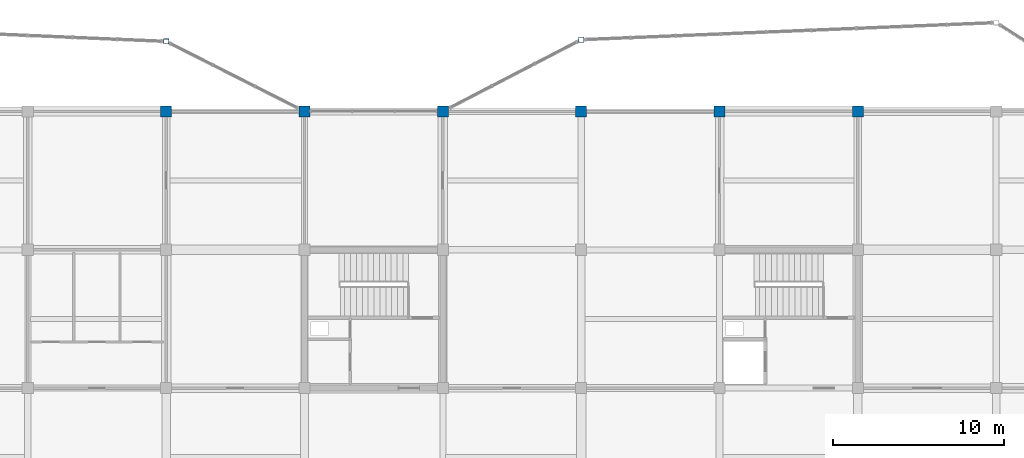
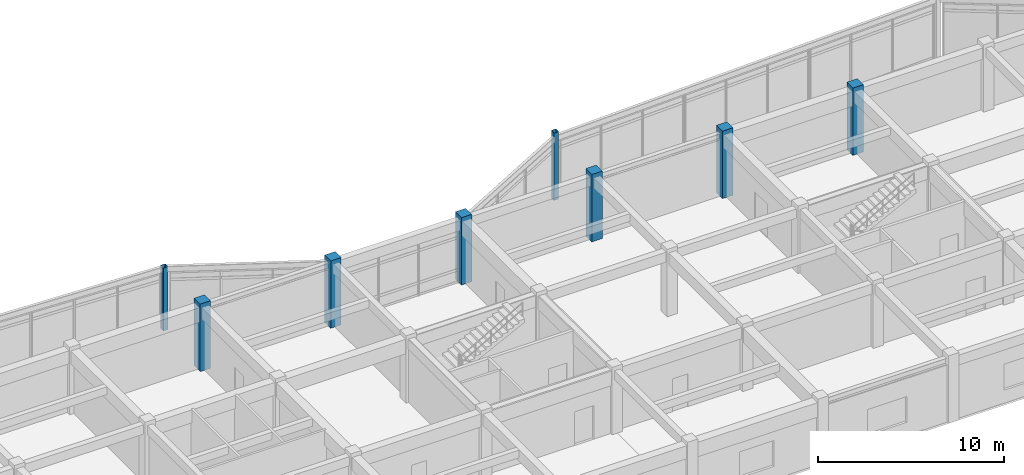
# One storey, part 11 of 70: 8 columns.
"""IFC4 building model written with IfcOpenShell, lengths in metres."""

from ifc_helpers import new_model, si_unit, direction, frame, origin, origin_2d, place, context, subcontext, project, spatial, rectangle, hollow_rectangle, extrude, material, material_profile, profile_set, type_object, element, save


model = new_model("IFC4")

# Units and contexts
model_context = context("Model", 3, precision=1e-05, world=origin(), true_north=direction((0.0, 1.0)))
body_context = subcontext(model_context, "Body", "Model", "MODEL_VIEW")
ifc_project = project(units=[si_unit("LENGTHUNIT", "METRE"), si_unit("AREAUNIT", "SQUARE_METRE"), si_unit("VOLUMEUNIT", "CUBIC_METRE"), si_unit("PLANEANGLEUNIT", "RADIAN"), si_unit("MASSUNIT", "GRAM", prefix="KILO")], contexts=[model_context])

# Site, building, storey
site_placement = place(None, origin())
site = spatial("IfcSite", under=ifc_project, at=site_placement, CompositionType="ELEMENT")
building_placement = place(site_placement, origin())
building = spatial("IfcBuilding", under=site, at=building_placement, Name="Vaudrelin Polytechnic", CompositionType="ELEMENT")
storey_placement = place(building_placement, frame((0.0, 0.0, 14.110107421875)))
storey = spatial("IfcBuildingStorey", under=building, at=storey_placement, Name="L03", CompositionType="ELEMENT", Elevation=14.110107421875)

# Columns
ifc_material_1 = material(Name="Steel CSA G40.21 350WT", Category="steel")
ifc_material_profile_1 = material_profile(ifc_material_1, hollow_rectangle(XDim=0.304931640625, YDim=0.304931640625, WallThickness=0.0126953125, InnerFilletRadius=0.0126953125, OuterFilletRadius=0.025390625, at=origin_2d()), Name="HSS305x305x12.7")
ifc_profile_set_1 = profile_set([ifc_material_profile_1], Name="Steel CSA G40.21 350WT")
column_type_1 = type_object("IfcColumnType", Name="COL-C-HSS305", PredefinedType="COLUMN", material=ifc_profile_set_1)
column_1_placement = place(storey_placement, frame((48.60009765625, 125.60009765625, 0.0), z_axis=(0.0, 0.0, 1.0), x_axis=(1.0, 0.0, 0.0)))
element("IfcColumn", 1, at=column_1_placement, inside=storey, type_object=column_type_1, Name="Deconstructivist column L03 N_OR1_2", PredefinedType="COLUMN", context=body_context, shape_type="SweptSolid", body=[
    extrude(hollow_rectangle(XDim=0.304931640625, YDim=0.304931640625, WallThickness=0.0126953125, InnerFilletRadius=0.0126953125, OuterFilletRadius=0.025390625, at=origin_2d()), origin(), (0.0, 0.0, 1.0), 4.139892578125),
])
column_2_placement = place(storey_placement, frame((72.89990234375, 125.699951171875, 0.0), z_axis=(0.0, 0.0, 1.0), x_axis=(1.0, 0.0, 0.0)))
element("IfcColumn", 2, at=column_2_placement, inside=storey, type_object=column_type_1, Name="Deconstructivist column L03 N_OR2_1", PredefinedType="COLUMN", context=body_context, shape_type="SweptSolid", body=[
    extrude(hollow_rectangle(XDim=0.304931640625, YDim=0.304931640625, WallThickness=0.0126953125, InnerFilletRadius=0.0126953125, OuterFilletRadius=0.025390625, at=origin_2d()), origin(), (0.0, 0.0, 1.0), 4.419921875),
])
ifc_material_2 = material(Name="Concrete 40 MPa", Category="concrete")
ifc_material_profile_2 = material_profile(ifc_material_2, rectangle(XDim=0.64990234375, YDim=0.64990234375, at=origin_2d()), Name="RC650x650")
ifc_profile_set_2 = profile_set([ifc_material_profile_2], Name="Concrete 40 MPa")
column_type_2 = type_object("IfcColumnType", Name="COL-C-RC650", PredefinedType="COLUMN", material=ifc_profile_set_2)
for number, where, z_axis, x_axis, name in (
    (3, (48.60009765625, 121.5, 0.0), (0.0, 0.0, 1.0), (1.0, 0.0, 0.0), "Column L03 7-16"),
    (4, (56.699951171875, 121.5, 0.0), (0.0, 0.0, 1.0), (1.0, 0.0, 0.0), "Column L03 8-16"),
    (5, (64.800048828125, 121.5, 0.0), (0.0, 0.0, 1.0), (1.0, 0.0, 0.0), "Column L03 9-16"),
    (6, (72.89990234375, 121.5, 0.0), (0.0, 0.0, 1.0), (1.0, 0.0, 0.0), "Column L03 10-16"),
    (7, (81.0, 121.5, 0.0), (0.0, 0.0, 1.0), (1.0, 0.0, 0.0), "Column L03 11-16"),
    (8, (89.10009765625, 121.5, 0.0), (0.0, 0.0, 1.0), (1.0, 0.0, 0.0), "Column L03 12-16"),
):
    element("IfcColumn", number, at=place(storey_placement, frame(where, z_axis=z_axis, x_axis=x_axis)), inside=storey, type_object=column_type_2, Name=name, PredefinedType="COLUMN", context=body_context, shape_type="SweptSolid", body=[
        extrude(rectangle(XDim=0.64990234375, YDim=0.64990234375, at=origin_2d()), origin(), (0.0, 0.0, 1.0), 4.419921875),
    ])

save(model, "model.ifc")
